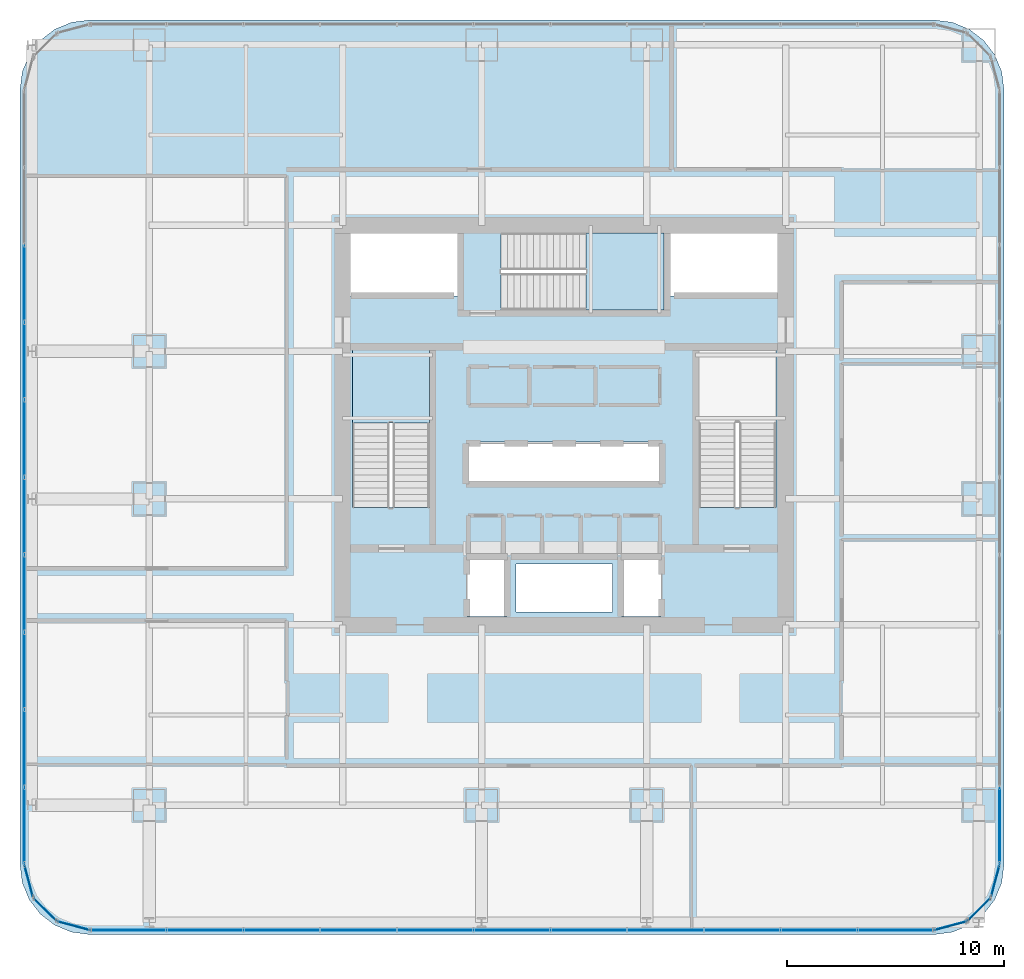
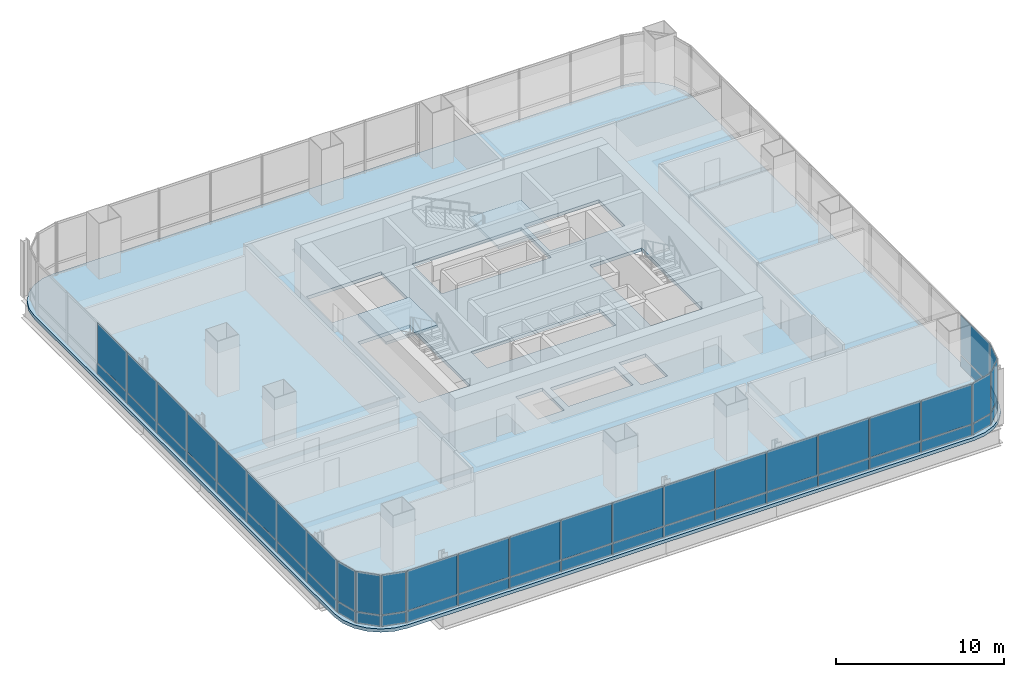
# One storey, part 26 of 35: 52 plates, 3 slabs, 11 elements without a shape of their own.
"""IFC4 building model written with IfcOpenShell, lengths in metres."""

import ifcopenshell
import ifcopenshell.guid

model = None  # the IFC model being written
_history = None  # IfcOwnerHistory: only IFC2X3 demands one
_inside = {}  # id of a spatial element -> (the spatial element, [elements in it])
_under = {}  # id of a project, library or spatial element -> (it, [spatial elements below it])
_declared = {}  # id of a project -> (the project, [libraries it declares])
_typed = {}  # id of a type object -> (the type object, [elements of that type])
_made_of = {}  # id of a material, layer set ... -> (it, [elements and type objects made of it])


def new_model(schema):
    """Start an empty IFC model of exactly this schema.

    Asked for "IFC4X3", IfcOpenShell would pick the latest addendum, in which some entities
    have other attributes; the version numbers below select the first issue.
    IFC2X3 requires an IfcOwnerHistory on every rooted entity: one is made here for all.
    """
    global model, _history
    if schema == "IFC4X3":
        model = ifcopenshell.file(schema_version=(4, 3, 0, 0))
    else:
        model = ifcopenshell.file(schema=schema)
    _inside.clear()
    _under.clear()
    _declared.clear()
    _typed.clear()
    _made_of.clear()
    _history = None
    if model.schema == "IFC2X3":
        org = make("IfcOrganization", Name="unknown")
        user = make(
            "IfcPersonAndOrganization",
            ThePerson=make("IfcPerson", FamilyName="unknown"),
            TheOrganization=org,
        )
        app = make(
            "IfcApplication",
            ApplicationDeveloper=org,
            Version="unknown",
            ApplicationFullName="unknown",
            ApplicationIdentifier="unknown",
        )
        _history = make(
            "IfcOwnerHistory",
            OwningUser=user,
            OwningApplication=app,
            ChangeAction="ADDED",
            CreationDate=0,
        )
    return model


def make(cls, **values):
    """One entity of the class cls with the attributes given. An attribute that is None is left unset."""
    return model.create_entity(
        cls, **{name: value for name, value in values.items() if value is not None}
    )


def rooted(cls, **values):
    """An entity with a GlobalId (a new one), such as an element, a storey or a relation."""
    return make(cls, GlobalId=ifcopenshell.guid.new(), OwnerHistory=_history, **values)


def si_unit(unit_type, name, prefix=None):
    """IfcSIUnit, for example si_unit("LENGTHUNIT", "METRE", prefix="MILLI")."""
    return make("IfcSIUnit", UnitType=unit_type, Prefix=prefix, Name=name)


def assignment(units):
    """IfcUnitAssignment: the units of a project."""
    return None if units is None else make("IfcUnitAssignment", Units=units)


def point(xyz):
    """IfcCartesianPoint."""
    return None if xyz is None else make("IfcCartesianPoint", Coordinates=xyz)


def direction(xyz):
    """IfcDirection."""
    return None if xyz is None else make("IfcDirection", DirectionRatios=xyz)


def frame(location, z_axis=None, x_axis=None):
    """IfcAxis2Placement3D, a coordinate frame: its origin and axes. An axis left out is left unset."""
    return make(
        "IfcAxis2Placement3D",
        Location=point(location),
        Axis=direction(z_axis),
        RefDirection=direction(x_axis),
    )


def frame_2d(location, x_axis=None):
    """IfcAxis2Placement2D, a coordinate frame in the plane: its origin and x axis."""
    return make(
        "IfcAxis2Placement2D", Location=point(location), RefDirection=direction(x_axis)
    )


def origin():
    """The frame at (0, 0, 0) with its axes left unset."""
    return frame((0.0, 0.0, 0.0))


def origin_2d():
    """The frame at (0, 0) in the plane with its x axis left unset."""
    return frame_2d((0.0, 0.0))


def place(relative_to, where):
    """IfcLocalPlacement: puts the frame where relative to a parent placement (None: the world)."""
    return make(
        "IfcLocalPlacement", PlacementRelTo=relative_to, RelativePlacement=where
    )


def context(
    kind, dimensions, precision=None, world=None, true_north=None, identifier=None
):
    """IfcGeometricRepresentationContext, for example the 3D "Model" context."""
    return make(
        "IfcGeometricRepresentationContext",
        ContextIdentifier=identifier,
        ContextType=kind,
        CoordinateSpaceDimension=dimensions,
        Precision=precision,
        WorldCoordinateSystem=world,
        TrueNorth=true_north,
    )


def subcontext(parent, identifier, kind, view, scale=None):
    """IfcGeometricRepresentationSubContext, for example "Body" below "Model"."""
    return make(
        "IfcGeometricRepresentationSubContext",
        ContextIdentifier=identifier,
        ContextType=kind,
        ParentContext=parent,
        TargetScale=scale,
        TargetView=view,
    )


def project(units=None, contexts=None):
    """IfcProject with its units and contexts."""
    return rooted(
        "IfcProject",
        Name="project",
        RepresentationContexts=contexts,
        UnitsInContext=assignment(units),
    )


def spatial(cls, under=None, at=None, **own):
    """A site, building, storey or space (cls), placed at a placement, below another one or the project."""
    s = rooted(cls, ObjectPlacement=at, **own)
    if under is not None:
        _under.setdefault(under.id(), (under, []))[1].append(s)
    return s


def polyline(points):
    """IfcPolyline through the points."""
    return make("IfcPolyline", Points=[point(p) for p in points])


def profile(cls, at=None, kind="AREA", **sizes):
    """A parametric profile (cls). Its sizes go by their IFC names, for example OverallWidth=200.0."""
    return make(cls, ProfileType=kind, Position=at, **sizes)


def rectangle(**sizes):
    """IfcRectangleProfileDef."""
    return profile("IfcRectangleProfileDef", **sizes)


def outline(outer, holes=None, kind="AREA"):
    """IfcArbitraryClosedProfileDef: a profile drawn as a closed curve; with holes, ...WithVoids."""
    if holes is None:
        return make("IfcArbitraryClosedProfileDef", ProfileType=kind, OuterCurve=outer)
    return make(
        "IfcArbitraryProfileDefWithVoids",
        ProfileType=kind,
        OuterCurve=outer,
        InnerCurves=holes,
    )


def extrude(swept, where, along, depth):
    """IfcExtrudedAreaSolid: the profile swept, set in the frame where, extruded along a direction by depth."""
    return make(
        "IfcExtrudedAreaSolid",
        SweptArea=swept,
        Position=where,
        ExtrudedDirection=direction(along),
        Depth=depth,
    )


def shape(context_of_items, identifier, shape_type, items):
    """IfcShapeRepresentation: the items that make up one representation, for example the "Body"."""
    return make(
        "IfcShapeRepresentation",
        ContextOfItems=context_of_items,
        RepresentationIdentifier=identifier,
        RepresentationType=shape_type,
        Items=items,
    )


def material(Name=None, Category=None):
    """IfcMaterial."""
    return make("IfcMaterial", Name=Name, Category=Category)


def layer(
    of_material, thickness, ventilated=None, Name=None, Category=None, Priority=None
):
    """IfcMaterialLayer: one layer of a wall or slab, of a material (None: an air gap)."""
    return make(
        "IfcMaterialLayer",
        Material=of_material,
        LayerThickness=thickness,
        IsVentilated=ventilated,
        Name=Name,
        Category=Category,
        Priority=Priority,
    )


def layer_set(layers, Name=None):
    """IfcMaterialLayerSet."""
    return make("IfcMaterialLayerSet", MaterialLayers=layers, LayerSetName=Name)


def made_of(thing, what):
    """Note that an element or type object is made of a material, layer set ...; save() writes the relation."""
    if what is not None:
        _made_of.setdefault(what.id(), (what, []))[1].append(thing)
    return thing


def type_object(cls, material=None, **own):
    """A type object (cls), such as IfcWallType, which elements share."""
    return made_of(rooted(cls, **own), material)


def element(
    cls,
    number,
    at=None,
    inside=None,
    cuts=None,
    type_object=None,
    material=None,
    context=None,
    identifier="Body",
    shape_type=None,
    held_by="IfcProductDefinitionShape",
    body=None,
    shapes=None,
    **own,
):
    """One element of the class cls, such as IfcWall. Its Tag is "e" and its number.

    at: its placement. inside: the storey or other place that contains it. cuts: it is an
    opening in that element (IfcRelVoidsElement). A single representation is given by context,
    identifier, shape_type and body (its items); several are given by shapes. held_by: the class
    of the entity that holds the representations. save() writes the other relations.
    """
    e = rooted(cls, Tag="e%d" % number, ObjectPlacement=at, **own)
    if body is not None:
        shapes = [shape(context, identifier, shape_type, body)]
    if shapes is not None:
        e.Representation = make(held_by, Representations=shapes)
    if inside is not None:
        _inside.setdefault(inside.id(), (inside, []))[1].append(e)
    if cuts is not None:
        rooted(
            "IfcRelVoidsElement", RelatingBuildingElement=cuts, RelatedOpeningElement=e
        )
    if type_object is not None:
        _typed.setdefault(type_object.id(), (type_object, []))[1].append(e)
    return made_of(e, material)


def aggregate(whole, parts):
    """IfcRelAggregates: a whole, such as a stair, and the parts it consists of."""
    return rooted("IfcRelAggregates", RelatingObject=whole, RelatedObjects=parts)


def save(model, path):
    """Write the relations noted so far, then the file.

    IfcRelAggregates (storeys below a building ...), IfcRelContainedInSpatialStructure (elements
    in a storey), IfcRelDefinesByType, IfcRelAssociatesMaterial and IfcRelDeclares: one each for
    every whole, place, type object, material and project.
    """
    for whole, parts in _under.values():
        aggregate(whole, parts)
    for where, things in _inside.values():
        rooted(
            "IfcRelContainedInSpatialStructure",
            RelatedElements=things,
            RelatingStructure=where,
        )
    for kind, things in _typed.values():
        rooted("IfcRelDefinesByType", RelatedObjects=things, RelatingType=kind)
    for what, things in _made_of.values():
        rooted("IfcRelAssociatesMaterial", RelatedObjects=things, RelatingMaterial=what)
    for by, libraries in _declared.values():
        rooted("IfcRelDeclares", RelatingContext=by, RelatedDefinitions=libraries)
    model.write(path)


model = new_model("IFC4")

# Units and contexts
model_context = context("Model", 3, precision=1e-05, world=origin(), true_north=direction((0.0, 1.0)))
body_context = subcontext(model_context, "Body", "Model", "MODEL_VIEW")
ifc_project = project(units=[si_unit("LENGTHUNIT", "METRE"), si_unit("AREAUNIT", "SQUARE_METRE"), si_unit("VOLUMEUNIT", "CUBIC_METRE"), si_unit("PLANEANGLEUNIT", "RADIAN"), si_unit("MASSUNIT", "GRAM", prefix="KILO")], contexts=[model_context])

# Site, building, storey
site_placement = place(None, origin())
site = spatial("IfcSite", under=ifc_project, at=site_placement, CompositionType="ELEMENT")
building_placement = place(site_placement, origin())
building = spatial("IfcBuilding", under=site, at=building_placement, Name="Punatoya Terracotta Tower", CompositionType="ELEMENT")
storey_placement = place(building_placement, frame((0.0, 0.0, 52.5)))
storey = spatial("IfcBuildingStorey", under=building, at=storey_placement, Name="L11", CompositionType="ELEMENT", Elevation=52.5)

# Curtain wall, plates
ifc_material_1 = material(Name="Aluminium 6063-T6 + Double Low-E Glass", Category="aluminium")
curtain_wall_type = type_object("IfcCurtainWallType", Name="CW-M1", PredefinedType="NOTDEFINED", material=ifc_material_1)
curtain_wall_1_placement = place(storey_placement, origin())
curtain_wall_1 = element("IfcCurtainWall", 1, at=curtain_wall_1_placement, inside=storey, type_object=curtain_wall_type, Name="L11 Curtain Wall CW-L11-S01-1", PredefinedType="NOTDEFINED")
ifc_material_2 = material(Name="Double Low-E Clear Vision Glass", Category="glass")
ifc_layer_1 = layer(ifc_material_2, 0.028076171875)
ifc_layer_set_1 = layer_set([ifc_layer_1], Name="Double Low-E Clear Vision Glass")
plate_type_1 = type_object("IfcPlateType", Name="PLT-GLZ-28", PredefinedType="CURTAIN_PANEL", material=ifc_layer_set_1)
plate_1_placement = place(storey_placement, frame((-20.06982421875, -23.25, 0.89013671875), z_axis=(0.0, 0.0, 1.0), x_axis=(1.0, 0.0, 0.0)))
plate_1 = element("IfcPlate", 2, at=plate_1_placement, type_object=plate_type_1, Name="CW-L11-S01-1 Vision Glass Panel 1", PredefinedType="CURTAIN_PANEL", context=body_context, shape_type="SweptSolid", body=[
    extrude(rectangle(XDim=3.448974609375, YDim=0.028076171875, at=origin_2d()), origin(), (0.0, 0.0, 1.0), 2.8798828125),
])
plate_2_placement = place(storey_placement, frame((-16.535888671875, -23.25, 0.89013671875), z_axis=(0.0, 0.0, 1.0), x_axis=(1.0, 0.0, 0.0)))
plate_2 = element("IfcPlate", 3, at=plate_2_placement, type_object=plate_type_1, Name="CW-L11-S01-1 Vision Glass Panel 2", PredefinedType="CURTAIN_PANEL", context=body_context, shape_type="SweptSolid", body=[
    extrude(rectangle(XDim=3.448974609375, YDim=0.028076171875, at=origin_2d()), origin(), (0.0, 0.0, 1.0), 2.8798828125),
])
plate_3_placement = place(storey_placement, frame((-13.001953125, -23.25, 0.89013671875), z_axis=(0.0, 0.0, 1.0), x_axis=(1.0, 0.0, 0.0)))
plate_3 = element("IfcPlate", 4, at=plate_3_placement, type_object=plate_type_1, Name="CW-L11-S01-1 Vision Glass Panel 3", PredefinedType="CURTAIN_PANEL", context=body_context, shape_type="SweptSolid", body=[
    extrude(rectangle(XDim=3.448974609375, YDim=0.028076171875, at=origin_2d()), origin(), (0.0, 0.0, 1.0), 2.8798828125),
])
plate_4_placement = place(storey_placement, frame((-9.468017578125, -23.25, 0.89013671875), z_axis=(0.0, 0.0, 1.0), x_axis=(1.0, 0.0, 0.0)))
plate_4 = element("IfcPlate", 5, at=plate_4_placement, type_object=plate_type_1, Name="CW-L11-S01-1 Vision Glass Panel 4", PredefinedType="CURTAIN_PANEL", context=body_context, shape_type="SweptSolid", body=[
    extrude(rectangle(XDim=3.448974609375, YDim=0.028076171875, at=origin_2d()), origin(), (0.0, 0.0, 1.0), 2.8798828125),
])
plate_5_placement = place(storey_placement, frame((-5.93408203125, -23.25, 0.89013671875), z_axis=(0.0, 0.0, 1.0), x_axis=(1.0, 0.0, 0.0)))
plate_5 = element("IfcPlate", 6, at=plate_5_placement, type_object=plate_type_1, Name="CW-L11-S01-1 Vision Glass Panel 5", PredefinedType="CURTAIN_PANEL", context=body_context, shape_type="SweptSolid", body=[
    extrude(rectangle(XDim=3.448974609375, YDim=0.028076171875, at=origin_2d()), origin(), (0.0, 0.0, 1.0), 2.8798828125),
])
plate_6_placement = place(storey_placement, frame((-2.39990234375, -23.25, 0.89013671875), z_axis=(0.0, 0.0, 1.0), x_axis=(1.0, 0.0, 0.0)))
plate_6 = element("IfcPlate", 7, at=plate_6_placement, type_object=plate_type_1, Name="CW-L11-S01-1 Vision Glass Panel 6", PredefinedType="CURTAIN_PANEL", context=body_context, shape_type="SweptSolid", body=[
    extrude(rectangle(XDim=3.448974609375, YDim=0.028076171875, at=origin_2d()), origin(), (0.0, 0.0, 1.0), 2.8798828125),
])
plate_7_placement = place(storey_placement, frame((1.134033203125, -23.25, 0.89013671875), z_axis=(0.0, 0.0, 1.0), x_axis=(1.0, 0.0, 0.0)))
plate_7 = element("IfcPlate", 8, at=plate_7_placement, type_object=plate_type_1, Name="CW-L11-S01-1 Vision Glass Panel 7", PredefinedType="CURTAIN_PANEL", context=body_context, shape_type="SweptSolid", body=[
    extrude(rectangle(XDim=3.448974609375, YDim=0.028076171875, at=origin_2d()), origin(), (0.0, 0.0, 1.0), 2.8798828125),
])
plate_8_placement = place(storey_placement, frame((4.66796875, -23.25, 0.89013671875), z_axis=(0.0, 0.0, 1.0), x_axis=(1.0, 0.0, 0.0)))
plate_8 = element("IfcPlate", 9, at=plate_8_placement, type_object=plate_type_1, Name="CW-L11-S01-1 Vision Glass Panel 8", PredefinedType="CURTAIN_PANEL", context=body_context, shape_type="SweptSolid", body=[
    extrude(rectangle(XDim=3.448974609375, YDim=0.028076171875, at=origin_2d()), origin(), (0.0, 0.0, 1.0), 2.8798828125),
])
plate_9_placement = place(storey_placement, frame((8.201904296875, -23.25, 0.89013671875), z_axis=(0.0, 0.0, 1.0), x_axis=(1.0, 0.0, 0.0)))
plate_9 = element("IfcPlate", 10, at=plate_9_placement, type_object=plate_type_1, Name="CW-L11-S01-1 Vision Glass Panel 9", PredefinedType="CURTAIN_PANEL", context=body_context, shape_type="SweptSolid", body=[
    extrude(rectangle(XDim=3.448974609375, YDim=0.028076171875, at=origin_2d()), origin(), (0.0, 0.0, 1.0), 2.8798828125),
])
plate_10_placement = place(storey_placement, frame((11.73583984375, -23.25, 0.89013671875), z_axis=(0.0, 0.0, 1.0), x_axis=(1.0, 0.0, 0.0)))
plate_10 = element("IfcPlate", 11, at=plate_10_placement, type_object=plate_type_1, Name="CW-L11-S01-1 Vision Glass Panel 10", PredefinedType="CURTAIN_PANEL", context=body_context, shape_type="SweptSolid", body=[
    extrude(rectangle(XDim=3.448974609375, YDim=0.028076171875, at=origin_2d()), origin(), (0.0, 0.0, 1.0), 2.8798828125),
])
plate_11_placement = place(storey_placement, frame((15.27001953125, -23.25, 0.89013671875), z_axis=(0.0, 0.0, 1.0), x_axis=(1.0, 0.0, 0.0)))
plate_11 = element("IfcPlate", 12, at=plate_11_placement, type_object=plate_type_1, Name="CW-L11-S01-1 Vision Glass Panel 11", PredefinedType="CURTAIN_PANEL", context=body_context, shape_type="SweptSolid", body=[
    extrude(rectangle(XDim=3.448974609375, YDim=0.028076171875, at=origin_2d()), origin(), (0.0, 0.0, 1.0), 2.8798828125),
])

# Curtain wall, plate
curtain_wall_2_placement = place(storey_placement, origin())
curtain_wall_2 = element("IfcCurtainWall", 13, at=curtain_wall_2_placement, inside=storey, type_object=curtain_wall_type, Name="L11 Curtain Wall CW-L11-CRN02", PredefinedType="NOTDEFINED")
plate_12_placement = place(storey_placement, frame((17.79296875, -23.04833984375, 0.89013671875), z_axis=(0.0, 0.0, 1.0), x_axis=(0.966213877436, 0.257741620719, 0.0)))
plate_12 = element("IfcPlate", 14, at=plate_12_placement, type_object=plate_type_1, Name="CW-L11-CRN02 Vision Glass Panel 1", PredefinedType="CURTAIN_PANEL", context=body_context, shape_type="SweptSolid", body=[
    extrude(rectangle(XDim=1.47998046875, YDim=0.028076171875, at=origin_2d()), origin(), (0.0, 0.0, 1.0), 2.8798828125),
])

curtain_wall_3_placement = place(storey_placement, origin())
curtain_wall_3 = element("IfcCurtainWall", 15, at=curtain_wall_3_placement, inside=storey, type_object=curtain_wall_type, Name="L11 Curtain Wall CW-L11-CRN03", PredefinedType="NOTDEFINED")
plate_13_placement = place(storey_placement, frame((19.097900390625, -22.2978515625, 0.89013671875), z_axis=(0.0, 0.0, 1.0), x_axis=(0.707106781187, 0.707106781187, 0.0)))
plate_13 = element("IfcPlate", 16, at=plate_13_placement, type_object=plate_type_1, Name="CW-L11-CRN03 Vision Glass Panel 1", PredefinedType="CURTAIN_PANEL", context=body_context, shape_type="SweptSolid", body=[
    extrude(rectangle(XDim=1.467041015625, YDim=0.028076171875, at=origin_2d()), origin(), (0.0, 0.0, 1.0), 2.8798828125),
])

curtain_wall_4_placement = place(storey_placement, origin())
curtain_wall_4 = element("IfcCurtainWall", 17, at=curtain_wall_4_placement, inside=storey, type_object=curtain_wall_type, Name="L11 Curtain Wall CW-L11-CRN04", PredefinedType="NOTDEFINED")
plate_14_placement = place(storey_placement, frame((19.848388671875, -20.992919921875, 0.89013671875), z_axis=(0.0, 0.0, 1.0), x_axis=(0.257741620719, 0.966213877436, 0.0)))
plate_14 = element("IfcPlate", 18, at=plate_14_placement, type_object=plate_type_1, Name="CW-L11-CRN04 Vision Glass Panel 1", PredefinedType="CURTAIN_PANEL", context=body_context, shape_type="SweptSolid", body=[
    extrude(rectangle(XDim=1.47998046875, YDim=0.028076171875, at=origin_2d()), origin(), (0.0, 0.0, 1.0), 2.8798828125),
])

curtain_wall_5_placement = place(storey_placement, origin())
curtain_wall_5 = element("IfcCurtainWall", 19, at=curtain_wall_5_placement, inside=storey, type_object=curtain_wall_type, Name="L11 Curtain Wall CW-L11-E05-1", PredefinedType="NOTDEFINED")
plate_15_placement = place(storey_placement, frame((20.050048828125, -18.453125, 0.89013671875), z_axis=(0.0, 0.0, 1.0), x_axis=(0.0, 1.0, 0.0)))
plate_15 = element("IfcPlate", 20, at=plate_15_placement, type_object=plate_type_1, Name="CW-L11-E05-1 Vision Glass Panel 1", PredefinedType="CURTAIN_PANEL", context=body_context, shape_type="SweptSolid", body=[
    extrude(rectangle(XDim=3.482421875, YDim=0.028076171875, at=origin_2d()), origin(), (0.0, 0.0, 1.0), 2.8798828125),
])

# Curtain wall, plates
curtain_wall_6_placement = place(storey_placement, origin())
curtain_wall_6 = element("IfcCurtainWall", 21, at=curtain_wall_6_placement, inside=storey, type_object=curtain_wall_type, Name="L11 Curtain Wall CW-L11-W13-1", PredefinedType="NOTDEFINED")
plate_16_placement = place(storey_placement, frame((-24.85009765625, 6.518310546875, 0.89013671875), z_axis=(0.0, 0.0, 1.0), x_axis=(0.0, -1.0, 0.0)))
plate_16 = element("IfcPlate", 22, at=plate_16_placement, type_object=plate_type_1, Name="CW-L11-W13-1 Vision Glass Panel 3", PredefinedType="CURTAIN_PANEL", context=body_context, shape_type="SweptSolid", body=[
    extrude(rectangle(XDim=3.482421875, YDim=0.028076171875, at=origin_2d()), origin(), (0.0, 0.0, 1.0), 2.8798828125),
])
plate_17_placement = place(storey_placement, frame((-24.85009765625, 2.951171875, 0.89013671875), z_axis=(0.0, 0.0, 1.0), x_axis=(0.0, -1.0, 0.0)))
plate_17 = element("IfcPlate", 23, at=plate_17_placement, type_object=plate_type_1, Name="CW-L11-W13-1 Vision Glass Panel 4", PredefinedType="CURTAIN_PANEL", context=body_context, shape_type="SweptSolid", body=[
    extrude(rectangle(XDim=3.482421875, YDim=0.028076171875, at=origin_2d()), origin(), (0.0, 0.0, 1.0), 2.8798828125),
])
plate_18_placement = place(storey_placement, frame((-24.85009765625, -0.6162109375, 0.89013671875), z_axis=(0.0, 0.0, 1.0), x_axis=(0.0, -1.0, 0.0)))
plate_18 = element("IfcPlate", 24, at=plate_18_placement, type_object=plate_type_1, Name="CW-L11-W13-1 Vision Glass Panel 5", PredefinedType="CURTAIN_PANEL", context=body_context, shape_type="SweptSolid", body=[
    extrude(rectangle(XDim=3.482421875, YDim=0.028076171875, at=origin_2d()), origin(), (0.0, 0.0, 1.0), 2.8798828125),
])
plate_19_placement = place(storey_placement, frame((-24.85009765625, -4.18359375, 0.89013671875), z_axis=(0.0, 0.0, 1.0), x_axis=(0.0, -1.0, 0.0)))
plate_19 = element("IfcPlate", 25, at=plate_19_placement, type_object=plate_type_1, Name="CW-L11-W13-1 Vision Glass Panel 6", PredefinedType="CURTAIN_PANEL", context=body_context, shape_type="SweptSolid", body=[
    extrude(rectangle(XDim=3.482421875, YDim=0.028076171875, at=origin_2d()), origin(), (0.0, 0.0, 1.0), 2.8798828125),
])
plate_20_placement = place(storey_placement, frame((-24.85009765625, -7.751220703125, 0.89013671875), z_axis=(0.0, 0.0, 1.0), x_axis=(0.0, -1.0, 0.0)))
plate_20 = element("IfcPlate", 26, at=plate_20_placement, type_object=plate_type_1, Name="CW-L11-W13-1 Vision Glass Panel 7", PredefinedType="CURTAIN_PANEL", context=body_context, shape_type="SweptSolid", body=[
    extrude(rectangle(XDim=3.482421875, YDim=0.028076171875, at=origin_2d()), origin(), (0.0, 0.0, 1.0), 2.8798828125),
])
plate_21_placement = place(storey_placement, frame((-24.85009765625, -11.318359375, 0.89013671875), z_axis=(0.0, 0.0, 1.0), x_axis=(0.0, -1.0, 0.0)))
plate_21 = element("IfcPlate", 27, at=plate_21_placement, type_object=plate_type_1, Name="CW-L11-W13-1 Vision Glass Panel 8", PredefinedType="CURTAIN_PANEL", context=body_context, shape_type="SweptSolid", body=[
    extrude(rectangle(XDim=3.482421875, YDim=0.028076171875, at=origin_2d()), origin(), (0.0, 0.0, 1.0), 2.8798828125),
])
plate_22_placement = place(storey_placement, frame((-24.85009765625, -14.8857421875, 0.89013671875), z_axis=(0.0, 0.0, 1.0), x_axis=(0.0, -1.0, 0.0)))
plate_22 = element("IfcPlate", 28, at=plate_22_placement, type_object=plate_type_1, Name="CW-L11-W13-1 Vision Glass Panel 9", PredefinedType="CURTAIN_PANEL", context=body_context, shape_type="SweptSolid", body=[
    extrude(rectangle(XDim=3.482421875, YDim=0.028076171875, at=origin_2d()), origin(), (0.0, 0.0, 1.0), 2.8798828125),
])
plate_23_placement = place(storey_placement, frame((-24.85009765625, -18.453125, 0.89013671875), z_axis=(0.0, 0.0, 1.0), x_axis=(0.0, -1.0, 0.0)))
plate_23 = element("IfcPlate", 29, at=plate_23_placement, type_object=plate_type_1, Name="CW-L11-W13-1 Vision Glass Panel 10", PredefinedType="CURTAIN_PANEL", context=body_context, shape_type="SweptSolid", body=[
    extrude(rectangle(XDim=3.482421875, YDim=0.028076171875, at=origin_2d()), origin(), (0.0, 0.0, 1.0), 2.8798828125),
])

# Curtain wall, plate
curtain_wall_7_placement = place(storey_placement, origin())
curtain_wall_7 = element("IfcCurtainWall", 30, at=curtain_wall_7_placement, inside=storey, type_object=curtain_wall_type, Name="L11 Curtain Wall CW-L11-CRN14", PredefinedType="NOTDEFINED")
plate_24_placement = place(storey_placement, frame((-24.648193359375, -20.992919921875, 0.89013671875), z_axis=(0.0, 0.0, 1.0), x_axis=(0.257741620719, -0.966213877436, 0.0)))
plate_24 = element("IfcPlate", 31, at=plate_24_placement, type_object=plate_type_1, Name="CW-L11-CRN14 Vision Glass Panel 1", PredefinedType="CURTAIN_PANEL", context=body_context, shape_type="SweptSolid", body=[
    extrude(rectangle(XDim=1.47998046875, YDim=0.028076171875, at=origin_2d()), origin(), (0.0, 0.0, 1.0), 2.8798828125),
])

curtain_wall_8_placement = place(storey_placement, origin())
curtain_wall_8 = element("IfcCurtainWall", 32, at=curtain_wall_8_placement, inside=storey, type_object=curtain_wall_type, Name="L11 Curtain Wall CW-L11-CRN15", PredefinedType="NOTDEFINED")
plate_25_placement = place(storey_placement, frame((-23.89794921875, -22.2978515625, 0.89013671875), z_axis=(0.0, 0.0, 1.0), x_axis=(0.707106781187, -0.707106781187, 0.0)))
plate_25 = element("IfcPlate", 33, at=plate_25_placement, type_object=plate_type_1, Name="CW-L11-CRN15 Vision Glass Panel 1", PredefinedType="CURTAIN_PANEL", context=body_context, shape_type="SweptSolid", body=[
    extrude(rectangle(XDim=1.467041015625, YDim=0.028076171875, at=origin_2d()), origin(), (0.0, 0.0, 1.0), 2.8798828125),
])

curtain_wall_9_placement = place(storey_placement, origin())
curtain_wall_9 = element("IfcCurtainWall", 34, at=curtain_wall_9_placement, inside=storey, type_object=curtain_wall_type, Name="L11 Curtain Wall CW-L11-CRN16", PredefinedType="NOTDEFINED")
plate_26_placement = place(storey_placement, frame((-22.593017578125, -23.04833984375, 0.89013671875), z_axis=(0.0, 0.0, 1.0), x_axis=(0.966213877436, -0.257741620719, 0.0)))
plate_26 = element("IfcPlate", 35, at=plate_26_placement, type_object=plate_type_1, Name="CW-L11-CRN16 Vision Glass Panel 1", PredefinedType="CURTAIN_PANEL", context=body_context, shape_type="SweptSolid", body=[
    extrude(rectangle(XDim=1.47998046875, YDim=0.028076171875, at=origin_2d()), origin(), (0.0, 0.0, 1.0), 2.8798828125),
])

# Plate
ifc_material_3 = material(Name="Insulated Terracotta-Backed Spandrel Panel", Category="masonry")
ifc_layer_2 = layer(ifc_material_3, 0.044921875)
ifc_layer_set_2 = layer_set([ifc_layer_2], Name="Insulated Terracotta-Backed Spandrel Panel")
plate_type_2 = type_object("IfcPlateType", Name="PLT-SPN-45", PredefinedType="CURTAIN_PANEL", material=ifc_layer_set_2)
plate_27_placement = place(storey_placement, frame((-20.06982421875, -23.25, 0.0400390625), z_axis=(0.0, 0.0, 1.0), x_axis=(1.0, 0.0, 0.0)))
plate_27 = element("IfcPlate", 36, at=plate_27_placement, type_object=plate_type_2, Name="CW-L11-S01-1 Terracotta Spandrel Panel 1", PredefinedType="CURTAIN_PANEL", context=body_context, shape_type="SweptSolid", body=[
    extrude(rectangle(XDim=3.448974609375, YDim=0.044921875, at=origin_2d()), origin(), (0.0, 0.0, 1.0), 0.77490234375),
])

plate_28_placement = place(storey_placement, frame((-16.535888671875, -23.25, 0.0400390625), z_axis=(0.0, 0.0, 1.0), x_axis=(1.0, 0.0, 0.0)))
plate_28 = element("IfcPlate", 37, at=plate_28_placement, type_object=plate_type_2, Name="CW-L11-S01-1 Terracotta Spandrel Panel 2", PredefinedType="CURTAIN_PANEL", context=body_context, shape_type="SweptSolid", body=[
    extrude(rectangle(XDim=3.448974609375, YDim=0.044921875, at=origin_2d()), origin(), (0.0, 0.0, 1.0), 0.77490234375),
])

plate_29_placement = place(storey_placement, frame((-13.001953125, -23.25, 0.0400390625), z_axis=(0.0, 0.0, 1.0), x_axis=(1.0, 0.0, 0.0)))
plate_29 = element("IfcPlate", 38, at=plate_29_placement, type_object=plate_type_2, Name="CW-L11-S01-1 Terracotta Spandrel Panel 3", PredefinedType="CURTAIN_PANEL", context=body_context, shape_type="SweptSolid", body=[
    extrude(rectangle(XDim=3.448974609375, YDim=0.044921875, at=origin_2d()), origin(), (0.0, 0.0, 1.0), 0.77490234375),
])

plate_30_placement = place(storey_placement, frame((-9.468017578125, -23.25, 0.0400390625), z_axis=(0.0, 0.0, 1.0), x_axis=(1.0, 0.0, 0.0)))
plate_30 = element("IfcPlate", 39, at=plate_30_placement, type_object=plate_type_2, Name="CW-L11-S01-1 Terracotta Spandrel Panel 4", PredefinedType="CURTAIN_PANEL", context=body_context, shape_type="SweptSolid", body=[
    extrude(rectangle(XDim=3.448974609375, YDim=0.044921875, at=origin_2d()), origin(), (0.0, 0.0, 1.0), 0.77490234375),
])

plate_31_placement = place(storey_placement, frame((-5.93408203125, -23.25, 0.0400390625), z_axis=(0.0, 0.0, 1.0), x_axis=(1.0, 0.0, 0.0)))
plate_31 = element("IfcPlate", 40, at=plate_31_placement, type_object=plate_type_2, Name="CW-L11-S01-1 Terracotta Spandrel Panel 5", PredefinedType="CURTAIN_PANEL", context=body_context, shape_type="SweptSolid", body=[
    extrude(rectangle(XDim=3.448974609375, YDim=0.044921875, at=origin_2d()), origin(), (0.0, 0.0, 1.0), 0.77490234375),
])

plate_32_placement = place(storey_placement, frame((-2.39990234375, -23.25, 0.0400390625), z_axis=(0.0, 0.0, 1.0), x_axis=(1.0, 0.0, 0.0)))
plate_32 = element("IfcPlate", 41, at=plate_32_placement, type_object=plate_type_2, Name="CW-L11-S01-1 Terracotta Spandrel Panel 6", PredefinedType="CURTAIN_PANEL", context=body_context, shape_type="SweptSolid", body=[
    extrude(rectangle(XDim=3.448974609375, YDim=0.044921875, at=origin_2d()), origin(), (0.0, 0.0, 1.0), 0.77490234375),
])

plate_33_placement = place(storey_placement, frame((1.134033203125, -23.25, 0.0400390625), z_axis=(0.0, 0.0, 1.0), x_axis=(1.0, 0.0, 0.0)))
plate_33 = element("IfcPlate", 42, at=plate_33_placement, type_object=plate_type_2, Name="CW-L11-S01-1 Terracotta Spandrel Panel 7", PredefinedType="CURTAIN_PANEL", context=body_context, shape_type="SweptSolid", body=[
    extrude(rectangle(XDim=3.448974609375, YDim=0.044921875, at=origin_2d()), origin(), (0.0, 0.0, 1.0), 0.77490234375),
])

plate_34_placement = place(storey_placement, frame((4.66796875, -23.25, 0.0400390625), z_axis=(0.0, 0.0, 1.0), x_axis=(1.0, 0.0, 0.0)))
plate_34 = element("IfcPlate", 43, at=plate_34_placement, type_object=plate_type_2, Name="CW-L11-S01-1 Terracotta Spandrel Panel 8", PredefinedType="CURTAIN_PANEL", context=body_context, shape_type="SweptSolid", body=[
    extrude(rectangle(XDim=3.448974609375, YDim=0.044921875, at=origin_2d()), origin(), (0.0, 0.0, 1.0), 0.77490234375),
])

plate_35_placement = place(storey_placement, frame((8.201904296875, -23.25, 0.0400390625), z_axis=(0.0, 0.0, 1.0), x_axis=(1.0, 0.0, 0.0)))
plate_35 = element("IfcPlate", 44, at=plate_35_placement, type_object=plate_type_2, Name="CW-L11-S01-1 Terracotta Spandrel Panel 9", PredefinedType="CURTAIN_PANEL", context=body_context, shape_type="SweptSolid", body=[
    extrude(rectangle(XDim=3.448974609375, YDim=0.044921875, at=origin_2d()), origin(), (0.0, 0.0, 1.0), 0.77490234375),
])

plate_36_placement = place(storey_placement, frame((11.73583984375, -23.25, 0.0400390625), z_axis=(0.0, 0.0, 1.0), x_axis=(1.0, 0.0, 0.0)))
plate_36 = element("IfcPlate", 45, at=plate_36_placement, type_object=plate_type_2, Name="CW-L11-S01-1 Terracotta Spandrel Panel 10", PredefinedType="CURTAIN_PANEL", context=body_context, shape_type="SweptSolid", body=[
    extrude(rectangle(XDim=3.448974609375, YDim=0.044921875, at=origin_2d()), origin(), (0.0, 0.0, 1.0), 0.77490234375),
])

plate_37_placement = place(storey_placement, frame((15.27001953125, -23.25, 0.0400390625), z_axis=(0.0, 0.0, 1.0), x_axis=(1.0, 0.0, 0.0)))
plate_37 = element("IfcPlate", 46, at=plate_37_placement, type_object=plate_type_2, Name="CW-L11-S01-1 Terracotta Spandrel Panel 11", PredefinedType="CURTAIN_PANEL", context=body_context, shape_type="SweptSolid", body=[
    extrude(rectangle(XDim=3.448974609375, YDim=0.044921875, at=origin_2d()), origin(), (0.0, 0.0, 1.0), 0.77490234375),
])

aggregate(curtain_wall_1, [plate_27, plate_1, plate_28, plate_2, plate_29, plate_3, plate_30, plate_4, plate_31, plate_5, plate_32, plate_6, plate_33, plate_7, plate_34, plate_8, plate_35, plate_9, plate_36, plate_10, plate_37, plate_11])

plate_38_placement = place(storey_placement, frame((17.79296875, -23.04833984375, 0.0400390625), z_axis=(0.0, 0.0, 1.0), x_axis=(0.966213877436, 0.257741620719, 0.0)))
plate_38 = element("IfcPlate", 47, at=plate_38_placement, type_object=plate_type_2, Name="CW-L11-CRN02 Terracotta Spandrel Panel 1", PredefinedType="CURTAIN_PANEL", context=body_context, shape_type="SweptSolid", body=[
    extrude(rectangle(XDim=1.47998046875, YDim=0.044921875, at=origin_2d()), origin(), (0.0, 0.0, 1.0), 0.77490234375),
])

aggregate(curtain_wall_2, [plate_38, plate_12])

plate_39_placement = place(storey_placement, frame((19.097900390625, -22.2978515625, 0.0400390625), z_axis=(0.0, 0.0, 1.0), x_axis=(0.707106781187, 0.707106781187, 0.0)))
plate_39 = element("IfcPlate", 48, at=plate_39_placement, type_object=plate_type_2, Name="CW-L11-CRN03 Terracotta Spandrel Panel 1", PredefinedType="CURTAIN_PANEL", context=body_context, shape_type="SweptSolid", body=[
    extrude(rectangle(XDim=1.467041015625, YDim=0.044921875, at=origin_2d()), origin(), (0.0, 0.0, 1.0), 0.77490234375),
])

aggregate(curtain_wall_3, [plate_39, plate_13])

plate_40_placement = place(storey_placement, frame((19.848388671875, -20.992919921875, 0.0400390625), z_axis=(0.0, 0.0, 1.0), x_axis=(0.257741620719, 0.966213877436, 0.0)))
plate_40 = element("IfcPlate", 49, at=plate_40_placement, type_object=plate_type_2, Name="CW-L11-CRN04 Terracotta Spandrel Panel 1", PredefinedType="CURTAIN_PANEL", context=body_context, shape_type="SweptSolid", body=[
    extrude(rectangle(XDim=1.47998046875, YDim=0.044921875, at=origin_2d()), origin(), (0.0, 0.0, 1.0), 0.77490234375),
])

aggregate(curtain_wall_4, [plate_40, plate_14])

plate_41_placement = place(storey_placement, frame((20.050048828125, -18.453125, 0.0400390625), z_axis=(0.0, 0.0, 1.0), x_axis=(0.0, 1.0, 0.0)))
plate_41 = element("IfcPlate", 50, at=plate_41_placement, type_object=plate_type_2, Name="CW-L11-E05-1 Terracotta Spandrel Panel 1", PredefinedType="CURTAIN_PANEL", context=body_context, shape_type="SweptSolid", body=[
    extrude(rectangle(XDim=3.482421875, YDim=0.044921875, at=origin_2d()), origin(), (0.0, 0.0, 1.0), 0.77490234375),
])

aggregate(curtain_wall_5, [plate_41, plate_15])

plate_42_placement = place(storey_placement, frame((-24.85009765625, 6.518310546875, 0.0400390625), z_axis=(0.0, 0.0, 1.0), x_axis=(0.0, -1.0, 0.0)))
plate_42 = element("IfcPlate", 51, at=plate_42_placement, type_object=plate_type_2, Name="CW-L11-W13-1 Terracotta Spandrel Panel 3", PredefinedType="CURTAIN_PANEL", context=body_context, shape_type="SweptSolid", body=[
    extrude(rectangle(XDim=3.482421875, YDim=0.044921875, at=origin_2d()), origin(), (0.0, 0.0, 1.0), 0.77490234375),
])

plate_43_placement = place(storey_placement, frame((-24.85009765625, 2.951171875, 0.0400390625), z_axis=(0.0, 0.0, 1.0), x_axis=(0.0, -1.0, 0.0)))
plate_43 = element("IfcPlate", 52, at=plate_43_placement, type_object=plate_type_2, Name="CW-L11-W13-1 Terracotta Spandrel Panel 4", PredefinedType="CURTAIN_PANEL", context=body_context, shape_type="SweptSolid", body=[
    extrude(rectangle(XDim=3.482421875, YDim=0.044921875, at=origin_2d()), origin(), (0.0, 0.0, 1.0), 0.77490234375),
])

plate_44_placement = place(storey_placement, frame((-24.85009765625, -0.6162109375, 0.0400390625), z_axis=(0.0, 0.0, 1.0), x_axis=(0.0, -1.0, 0.0)))
plate_44 = element("IfcPlate", 53, at=plate_44_placement, type_object=plate_type_2, Name="CW-L11-W13-1 Terracotta Spandrel Panel 5", PredefinedType="CURTAIN_PANEL", context=body_context, shape_type="SweptSolid", body=[
    extrude(rectangle(XDim=3.482421875, YDim=0.044921875, at=origin_2d()), origin(), (0.0, 0.0, 1.0), 0.77490234375),
])

plate_45_placement = place(storey_placement, frame((-24.85009765625, -4.18359375, 0.0400390625), z_axis=(0.0, 0.0, 1.0), x_axis=(0.0, -1.0, 0.0)))
plate_45 = element("IfcPlate", 54, at=plate_45_placement, type_object=plate_type_2, Name="CW-L11-W13-1 Terracotta Spandrel Panel 6", PredefinedType="CURTAIN_PANEL", context=body_context, shape_type="SweptSolid", body=[
    extrude(rectangle(XDim=3.482421875, YDim=0.044921875, at=origin_2d()), origin(), (0.0, 0.0, 1.0), 0.77490234375),
])

plate_46_placement = place(storey_placement, frame((-24.85009765625, -7.751220703125, 0.0400390625), z_axis=(0.0, 0.0, 1.0), x_axis=(0.0, -1.0, 0.0)))
plate_46 = element("IfcPlate", 55, at=plate_46_placement, type_object=plate_type_2, Name="CW-L11-W13-1 Terracotta Spandrel Panel 7", PredefinedType="CURTAIN_PANEL", context=body_context, shape_type="SweptSolid", body=[
    extrude(rectangle(XDim=3.482421875, YDim=0.044921875, at=origin_2d()), origin(), (0.0, 0.0, 1.0), 0.77490234375),
])

plate_47_placement = place(storey_placement, frame((-24.85009765625, -11.318359375, 0.0400390625), z_axis=(0.0, 0.0, 1.0), x_axis=(0.0, -1.0, 0.0)))
plate_47 = element("IfcPlate", 56, at=plate_47_placement, type_object=plate_type_2, Name="CW-L11-W13-1 Terracotta Spandrel Panel 8", PredefinedType="CURTAIN_PANEL", context=body_context, shape_type="SweptSolid", body=[
    extrude(rectangle(XDim=3.482421875, YDim=0.044921875, at=origin_2d()), origin(), (0.0, 0.0, 1.0), 0.77490234375),
])

plate_48_placement = place(storey_placement, frame((-24.85009765625, -14.8857421875, 0.0400390625), z_axis=(0.0, 0.0, 1.0), x_axis=(0.0, -1.0, 0.0)))
plate_48 = element("IfcPlate", 57, at=plate_48_placement, type_object=plate_type_2, Name="CW-L11-W13-1 Terracotta Spandrel Panel 9", PredefinedType="CURTAIN_PANEL", context=body_context, shape_type="SweptSolid", body=[
    extrude(rectangle(XDim=3.482421875, YDim=0.044921875, at=origin_2d()), origin(), (0.0, 0.0, 1.0), 0.77490234375),
])

plate_49_placement = place(storey_placement, frame((-24.85009765625, -18.453125, 0.0400390625), z_axis=(0.0, 0.0, 1.0), x_axis=(0.0, -1.0, 0.0)))
plate_49 = element("IfcPlate", 58, at=plate_49_placement, type_object=plate_type_2, Name="CW-L11-W13-1 Terracotta Spandrel Panel 10", PredefinedType="CURTAIN_PANEL", context=body_context, shape_type="SweptSolid", body=[
    extrude(rectangle(XDim=3.482421875, YDim=0.044921875, at=origin_2d()), origin(), (0.0, 0.0, 1.0), 0.77490234375),
])

aggregate(curtain_wall_6, [plate_42, plate_16, plate_43, plate_17, plate_44, plate_18, plate_45, plate_19, plate_46, plate_20, plate_47, plate_21, plate_48, plate_22, plate_49, plate_23])

plate_50_placement = place(storey_placement, frame((-24.648193359375, -20.992919921875, 0.0400390625), z_axis=(0.0, 0.0, 1.0), x_axis=(0.257741620719, -0.966213877436, 0.0)))
plate_50 = element("IfcPlate", 59, at=plate_50_placement, type_object=plate_type_2, Name="CW-L11-CRN14 Terracotta Spandrel Panel 1", PredefinedType="CURTAIN_PANEL", context=body_context, shape_type="SweptSolid", body=[
    extrude(rectangle(XDim=1.47998046875, YDim=0.044921875, at=origin_2d()), origin(), (0.0, 0.0, 1.0), 0.77490234375),
])

aggregate(curtain_wall_7, [plate_50, plate_24])

plate_51_placement = place(storey_placement, frame((-23.89794921875, -22.2978515625, 0.0400390625), z_axis=(0.0, 0.0, 1.0), x_axis=(0.707106781187, -0.707106781187, 0.0)))
plate_51 = element("IfcPlate", 60, at=plate_51_placement, type_object=plate_type_2, Name="CW-L11-CRN15 Terracotta Spandrel Panel 1", PredefinedType="CURTAIN_PANEL", context=body_context, shape_type="SweptSolid", body=[
    extrude(rectangle(XDim=1.467041015625, YDim=0.044921875, at=origin_2d()), origin(), (0.0, 0.0, 1.0), 0.77490234375),
])

aggregate(curtain_wall_8, [plate_51, plate_25])

plate_52_placement = place(storey_placement, frame((-22.593017578125, -23.04833984375, 0.0400390625), z_axis=(0.0, 0.0, 1.0), x_axis=(0.966213877436, -0.257741620719, 0.0)))
plate_52 = element("IfcPlate", 61, at=plate_52_placement, type_object=plate_type_2, Name="CW-L11-CRN16 Terracotta Spandrel Panel 1", PredefinedType="CURTAIN_PANEL", context=body_context, shape_type="SweptSolid", body=[
    extrude(rectangle(XDim=1.47998046875, YDim=0.044921875, at=origin_2d()), origin(), (0.0, 0.0, 1.0), 0.77490234375),
])

aggregate(curtain_wall_9, [plate_52, plate_26])

# Stair, slab
ifc_material_4 = material(Name="Concrete C40/50", Category="concrete")
stair_type_1 = type_object("IfcStairType", Name="STR-TER-1450", PredefinedType="HALF_TURN_STAIR", material=ifc_material_4)
stair_1_placement = place(storey_placement, origin())
stair_1 = element("IfcStair", 62, at=stair_1_placement, inside=storey, type_object=stair_type_1, Name="L11 Protected Core Exit Stair ST-3", PredefinedType="HALF_TURN_STAIR")
ifc_layer_3 = layer(ifc_material_4, 0.1650390625)
ifc_layer_set_3 = layer_set([ifc_layer_3], Name="Concrete C40/50")
slab_type_1 = type_object("IfcSlabType", Name="SLB-LND-165", PredefinedType="LANDING", material=ifc_layer_set_3)
slab_1_placement = place(storey_placement, frame((0.0, 0.0, 1.824951171875)))
slab_1 = element("IfcSlab", 63, at=slab_1_placement, type_object=slab_type_1, Name="ST-3 landing 1", PredefinedType="LANDING", context=body_context, shape_type="SweptSolid", body=[
    extrude(outline(polyline([(1.0, 5.300048828125), (4.60009765625, 5.300048828125), (4.60009765625, 8.85009765625), (1.0, 8.85009765625), (1.0, 5.300048828125)])), origin(), (0.0, 0.0, 1.0), 0.199951171875),
])
aggregate(stair_1, [slab_1])

stair_type_2 = type_object("IfcStairType", Name="STR-CORE-1550", PredefinedType="HALF_TURN_STAIR", material=ifc_material_4)
stair_2_placement = place(storey_placement, origin())
stair_2 = element("IfcStair", 64, at=stair_2_placement, inside=storey, type_object=stair_type_2, Name="L11 Protected Core Exit Stair ST-1", PredefinedType="HALF_TURN_STAIR")
ifc_layer_4 = layer(ifc_material_4, 0.179931640625)
ifc_layer_set_4 = layer_set([ifc_layer_4], Name="Concrete C40/50")
slab_type_2 = type_object("IfcSlabType", Name="SLB-LND-180", PredefinedType="LANDING", material=ifc_layer_set_4)
slab_2_placement = place(storey_placement, frame((0.0, 0.0, 1.824951171875)))
slab_2 = element("IfcSlab", 65, at=slab_2_placement, type_object=slab_type_2, Name="ST-1 landing 1", PredefinedType="LANDING", context=body_context, shape_type="SweptSolid", body=[
    extrude(outline(polyline([(-6.199951171875, 0.10009765625), (-6.199951171875, 3.449951171875), (-9.75, 3.449951171875), (-9.75, 0.10009765625), (-6.199951171875, 0.10009765625)])), origin(), (0.0, 0.0, 1.0), 0.199951171875),
])
aggregate(stair_2, [slab_2])

# Slab
ifc_layer_5 = layer(ifc_material_4, 0.239990234375)
ifc_layer_set_5 = layer_set([ifc_layer_5], Name="Concrete C40/50")
slab_type_3 = type_object("IfcSlabType", Name="SLB-OFF-240", PredefinedType="FLOOR", material=ifc_layer_set_5)
slab_3_placement = place(storey_placement, frame((0.0, 0.0, -0.239990234375)))
element("IfcSlab", 66, at=slab_3_placement, inside=storey, type_object=slab_type_3, Name="L11 Structural Floor Slab", PredefinedType="FLOOR", context=body_context, shape_type="SweptSolid", body=[
    extrude(outline(polyline([(-21.85009765625, -23.449951171875), (-22.67822265625, -23.341064453125), (-23.449951171875, -23.021240234375), (-24.11279296875, -22.5126953125), (-24.621337890625, -21.85009765625), (-24.94091796875, -21.078125), (-25.050048828125, -20.25), (-25.050048828125, 15.449951171875), (-24.94091796875, 16.2783203125), (-24.621337890625, 17.050048828125), (-24.11279296875, 17.712646484375), (-23.449951171875, 18.22119140625), (-22.67822265625, 18.541015625), (-21.85009765625, 18.64990234375), (17.050048828125, 18.64990234375), (17.878173828125, 18.541015625), (18.64990234375, 18.22119140625), (19.312744140625, 17.712646484375), (19.8212890625, 17.050048828125), (20.14111328125, 16.2783203125), (20.25, 15.449951171875), (20.25, -20.25), (20.14111328125, -21.078125), (19.8212890625, -21.85009765625), (19.312744140625, -22.5126953125), (18.64990234375, -23.021240234375), (17.878173828125, -23.341064453125), (17.050048828125, -23.449951171875), (-21.85009765625, -23.449951171875)]), holes=[polyline([(-2.6298828125, -6.179931640625), (-4.469970703125, -6.179931640625), (-4.469970703125, -8.820068359375), (-2.6298828125, -8.820068359375), (-2.6298828125, -6.179931640625)]), polyline([(0.02001953125, -8.594970703125), (2.219970703125, -8.594970703125), (2.219970703125, -6.405029296875), (0.02001953125, -6.405029296875), (-0.02001953125, -6.405029296875), (-2.219970703125, -6.405029296875), (-2.219970703125, -8.594970703125), (-0.02001953125, -8.594970703125), (0.02001953125, -8.594970703125)]), polyline([(-2.219970703125, -2.719970703125), (-2.179931640625, -2.719970703125), (-0.02001953125, -2.719970703125), (0.02001953125, -2.719970703125), (2.179931640625, -2.719970703125), (2.219970703125, -2.719970703125), (4.419921875, -2.719970703125), (4.419921875, -0.780029296875), (2.219970703125, -0.780029296875), (2.179931640625, -0.780029296875), (0.02001953125, -0.780029296875), (-0.02001953125, -0.780029296875), (-2.179931640625, -0.780029296875), (-2.219970703125, -0.780029296875), (-4.419921875, -0.780029296875), (-4.419921875, -2.719970703125), (-2.219970703125, -2.719970703125)]), polyline([(-6.199951171875, 3.449951171875), (-9.75, 3.449951171875), (-9.75, -3.79931640625), (-6.199951171875, -3.79931640625), (-6.199951171875, 3.449951171875)]), polyline([(4.60009765625, 5.300048828125), (4.60009765625, 8.85009765625), (-2.899169921875, 8.85009765625), (-2.899169921875, 5.300048828125), (4.60009765625, 5.300048828125)]), polyline([(-4.89990234375, 9.050048828125), (-10.050048828125, 9.050048828125), (-10.050048828125, 5.949951171875), (-4.89990234375, 5.949951171875), (-4.89990234375, 9.050048828125)]), polyline([(4.469970703125, -8.820068359375), (4.469970703125, -6.179931640625), (2.6298828125, -6.179931640625), (2.6298828125, -8.820068359375), (4.469970703125, -8.820068359375)]), polyline([(9.75, 3.449951171875), (6.199951171875, 3.449951171875), (6.199951171875, -3.79931640625), (9.75, -3.79931640625), (9.75, 3.449951171875)]), polyline([(10.050048828125, 5.949951171875), (10.050048828125, 9.050048828125), (4.89990234375, 9.050048828125), (4.89990234375, 5.949951171875), (10.050048828125, 5.949951171875)])]), origin(), (0.0, 0.0, 1.0), 0.239990234375),
])

save(model, "model.ifc")
